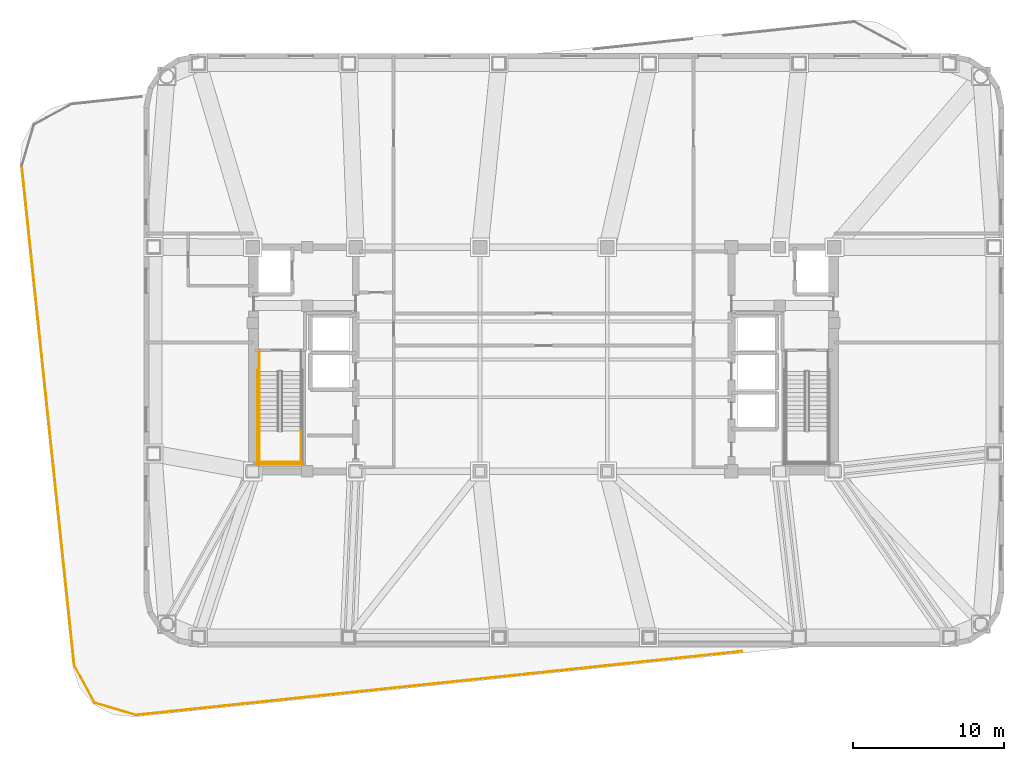
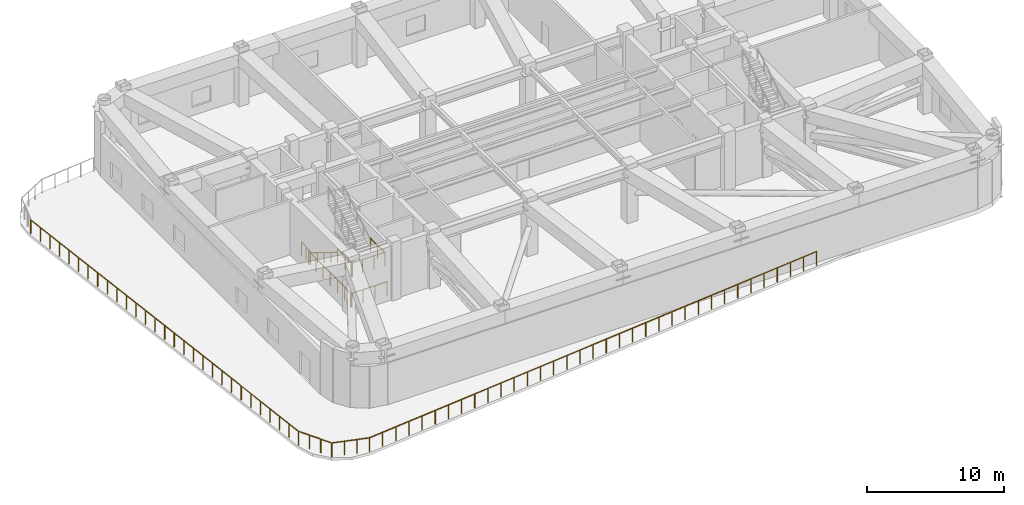
# One storey, part 7 of 10: 11 railings.
"""IFC4 building model written with IfcOpenShell, lengths in metres."""

from ifc_helpers import new_model, si_unit, direction, frame, origin, origin_2d, place, context, subcontext, project, spatial, circle, extrude, material, type_object, element, save


model = new_model("IFC4")

# Units and contexts
model_context = context("Model", 3, precision=1e-05, world=origin(), true_north=direction((0.0, 1.0)))
body_context = subcontext(model_context, "Body", "Model", "MODEL_VIEW")
ifc_project = project(units=[si_unit("LENGTHUNIT", "METRE"), si_unit("AREAUNIT", "SQUARE_METRE"), si_unit("VOLUMEUNIT", "CUBIC_METRE"), si_unit("PLANEANGLEUNIT", "RADIAN"), si_unit("MASSUNIT", "GRAM", prefix="KILO")], contexts=[model_context])

# Site, building, storey
site_placement = place(None, origin())
site = spatial("IfcSite", under=ifc_project, at=site_placement, CompositionType="ELEMENT")
building_placement = place(site_placement, origin())
building = spatial("IfcBuilding", under=site, at=building_placement, Name="Voryun Gate Residences", CompositionType="ELEMENT")
storey_placement = place(building_placement, frame((0.0, 0.0, 195.0)))
storey = spatial("IfcBuildingStorey", under=building, at=storey_placement, Name="L48", CompositionType="ELEMENT", Elevation=195.0)

# Railings
ifc_material_1 = material(Name="Painted steel", Category="steel")
railing_type_1 = type_object("IfcRailingType", Name="RAIL_STAIR_GUARD_1200", PredefinedType="GUARDRAIL", material=ifc_material_1)
for number, where, name in (
    (1, (-18.77490234375, -4.719970703125, 2.60009765625), "L48 ST-W1 stair guard 3"),
    (2, (-16.02490234375, -4.719970703125, 2.60009765625), "L48 ST-W1 stair guard 4"),
):
    element("IfcRailing", number, at=place(storey_placement, frame(where)), inside=storey, type_object=railing_type_1, Name=name, PredefinedType="GUARDRAIL", context=body_context, shape_type="SweptSolid", body=[
        extrude(circle(Radius=0.02392578125, at=origin_2d()), frame((0.0, 0.0, 1.17578125), z_axis=(0.0, -1.0, 0.0), x_axis=(1.0, 0.0, 0.0)), (0.0, 0.0, 1.0), 2.130126953125),
        extrude(circle(Radius=0.02099609375, at=origin_2d()), origin(), (0.0, 0.0, 1.0), 1.15185546875),
        extrude(circle(Radius=0.02099609375, at=origin_2d()), frame((0.0, -1.06494140625, 0.0)), (0.0, 0.0, 1.0), 1.15185546875),
        extrude(circle(Radius=0.02099609375, at=origin_2d()), frame((0.0, -2.130126953125, 0.0)), (0.0, 0.0, 1.0), 1.15185546875),
    ])
railing_1_placement = place(storey_placement, frame((-18.824951171875, -6.800048828125, 2.60009765625)))
element("IfcRailing", 3, at=railing_1_placement, inside=storey, type_object=railing_type_1, Name="L48 ST-W1 stair guard 5", PredefinedType="GUARDRAIL", context=body_context, shape_type="SweptSolid", body=[
    extrude(circle(Radius=0.02392578125, at=origin_2d()), frame((0.0, 0.0, 1.17578125), z_axis=(1.0, 0.0, 0.0), x_axis=(0.0, 1.0, 0.0)), (0.0, 0.0, 1.0), 2.849853515625),
    extrude(circle(Radius=0.02099609375, at=origin_2d()), origin(), (0.0, 0.0, 1.0), 1.15185546875),
    extrude(circle(Radius=0.02099609375, at=origin_2d()), frame((0.949951171875, 0.0, 0.0)), (0.0, 0.0, 1.0), 1.15185546875),
    extrude(circle(Radius=0.02099609375, at=origin_2d()), frame((1.89990234375, 0.0, 0.0)), (0.0, 0.0, 1.0), 1.15185546875),
    extrude(circle(Radius=0.02099609375, at=origin_2d()), frame((2.849853515625, 0.0, 0.0)), (0.0, 0.0, 1.0), 1.15185546875),
])
railing_2_placement = place(storey_placement, frame((-18.77490234375, 0.550048828125, 0.0)))
element("IfcRailing", 4, at=railing_2_placement, inside=storey, type_object=railing_type_1, Name="L48 ST-W1 stair guard 8", PredefinedType="GUARDRAIL", context=body_context, shape_type="SweptSolid", body=[
    extrude(circle(Radius=0.02392578125, at=origin_2d()), frame((0.0, 0.0, 1.17578125), z_axis=(0.0, -1.0, 0.0), x_axis=(1.0, 0.0, 0.0)), (0.0, 0.0, 1.0), 1.35009765625),
    extrude(circle(Radius=0.02099609375, at=origin_2d()), origin(), (0.0, 0.0, 1.0), 1.15185546875),
    extrude(circle(Radius=0.02099609375, at=origin_2d()), frame((0.0, -0.675048828125, 0.0)), (0.0, 0.0, 1.0), 1.15185546875),
    extrude(circle(Radius=0.02099609375, at=origin_2d()), frame((0.0, -1.35009765625, 0.0)), (0.0, 0.0, 1.0), 1.15185546875),
])
railing_3_placement = place(storey_placement, frame((-18.875, -0.699951171875, 0.0)))
element("IfcRailing", 5, at=railing_3_placement, inside=storey, type_object=railing_type_1, Name="L48 ST-W1 stair guard 10", PredefinedType="GUARDRAIL", context=body_context, shape_type="SweptSolid", body=[
    extrude(circle(Radius=0.02392578125, at=origin_2d()), frame((0.0, 0.0, 1.17578125), z_axis=(0.0, -1.0, 0.0), x_axis=(1.0, 0.0, 0.0)), (0.0, 0.0, 1.0), 6.25),
    extrude(circle(Radius=0.02099609375, at=origin_2d()), origin(), (0.0, 0.0, 1.0), 1.15185546875),
    extrude(circle(Radius=0.02099609375, at=origin_2d()), frame((0.0, -1.041748046875, 0.0)), (0.0, 0.0, 1.0), 1.15185546875),
    extrude(circle(Radius=0.02099609375, at=origin_2d()), frame((0.0, -2.083251953125, 0.0)), (0.0, 0.0, 1.0), 1.15185546875),
    extrude(circle(Radius=0.02099609375, at=origin_2d()), frame((0.0, -3.125, 0.0)), (0.0, 0.0, 1.0), 1.15185546875),
    extrude(circle(Radius=0.02099609375, at=origin_2d()), frame((0.0, -4.166748046875, 0.0)), (0.0, 0.0, 1.0), 1.15185546875),
    extrude(circle(Radius=0.02099609375, at=origin_2d()), frame((0.0, -5.208251953125, 0.0)), (0.0, 0.0, 1.0), 1.15185546875),
    extrude(circle(Radius=0.02099609375, at=origin_2d()), frame((0.0, -6.25, 0.0)), (0.0, 0.0, 1.0), 1.15185546875),
])
railing_4_placement = place(storey_placement, frame((-18.925048828125, -6.89990234375, 0.0)))
element("IfcRailing", 6, at=railing_4_placement, inside=storey, type_object=railing_type_1, Name="L48 ST-W1 stair guard 12", PredefinedType="GUARDRAIL", context=body_context, shape_type="SweptSolid", body=[
    extrude(circle(Radius=0.02392578125, at=origin_2d()), frame((0.0, 0.0, 1.17578125), z_axis=(1.0, 0.0, 0.0), x_axis=(0.0, 1.0, 0.0)), (0.0, 0.0, 1.0), 3.050048828125),
    extrude(circle(Radius=0.02099609375, at=origin_2d()), origin(), (0.0, 0.0, 1.0), 1.15185546875),
    extrude(circle(Radius=0.02099609375, at=origin_2d()), frame((1.0166015625, 0.0, 0.0)), (0.0, 0.0, 1.0), 1.15185546875),
    extrude(circle(Radius=0.02099609375, at=origin_2d()), frame((2.033447265625, 0.0, 0.0)), (0.0, 0.0, 1.0), 1.15185546875),
    extrude(circle(Radius=0.02099609375, at=origin_2d()), frame((3.050048828125, 0.0, 0.0)), (0.0, 0.0, 1.0), 1.15185546875),
])
ifc_material_2 = material(Name="Painted steel", Category="steel")
railing_type_2 = type_object("IfcRailingType", Name="RAIL_STAIR_HANDRAIL_900", PredefinedType="HANDRAIL", material=ifc_material_2)
railing_5_placement = place(storey_placement, frame((-18.77490234375, -0.800048828125, 0.17333984375)))
element("IfcRailing", 7, at=railing_5_placement, inside=storey, type_object=railing_type_2, Name="L48 ST-W1 stair handrail 1", PredefinedType="HANDRAIL", context=body_context, shape_type="SweptSolid", body=[
    extrude(circle(Radius=0.02392578125, at=origin_2d()), frame((0.0, 0.0, 0.8759765625), z_axis=(0.0, -0.850251603719, 0.526376491091), x_axis=(1.0, 0.0, 0.0)), (0.0, 0.0, 1.0), 4.6103515625),
    extrude(circle(Radius=0.02099609375, at=origin_2d()), origin(), (0.0, 0.0, 1.0), 0.851806640625),
    extrude(circle(Radius=0.02099609375, at=origin_2d()), frame((0.0, -0.97998046875, 0.606689453125)), (0.0, 0.0, 1.0), 0.851806640625),
    extrude(circle(Radius=0.02099609375, at=origin_2d()), frame((0.0, -1.9599609375, 1.21337890625)), (0.0, 0.0, 1.0), 0.851806640625),
    extrude(circle(Radius=0.02099609375, at=origin_2d()), frame((0.0, -2.93994140625, 1.820068359375)), (0.0, 0.0, 1.0), 0.851806640625),
    extrude(circle(Radius=0.02099609375, at=origin_2d()), frame((0.0, -3.919921875, 2.4267578125)), (0.0, 0.0, 1.0), 0.851806640625),
])
ifc_material_3 = material(Name="Anodised aluminium", Category="aluminium")
railing_type_3 = type_object("IfcRailingType", Name="RAIL_TERRACE_GUARD_1250", PredefinedType="GUARDRAIL", material=ifc_material_3)
railing_6_placement = place(storey_placement, frame((-26.926025390625, -23.4853515625, 0.0)))
element("IfcRailing", 8, at=railing_6_placement, inside=storey, type_object=railing_type_3, Name="Terrace guard RL-L48-P2L1-01", PredefinedType="GUARDRAIL", context=body_context, shape_type="SweptSolid", body=[
    extrude(circle(Radius=0.02392578125, at=origin_2d()), frame((0.0, 0.0, 1.22607421875), z_axis=(-0.959051308589, 0.283232391323, 0.0), x_axis=(-0.283232391323, -0.959051308589, 0.0)), (0.0, 0.0, 1.0), 2.826416015625),
    extrude(circle(Radius=0.02099609375, at=origin_2d()), origin(), (0.0, 0.0, 1.0), 1.201904296875),
    extrude(circle(Radius=0.02099609375, at=origin_2d()), frame((-0.903564453125, 0.266845703125, 0.0)), (0.0, 0.0, 1.0), 1.201904296875),
    extrude(circle(Radius=0.02099609375, at=origin_2d()), frame((-1.80712890625, 0.53369140625, 0.0)), (0.0, 0.0, 1.0), 1.201904296875),
    extrude(circle(Radius=0.02099609375, at=origin_2d()), frame((-2.710693359375, 0.800537109375, 0.0)), (0.0, 0.0, 1.0), 1.201904296875),
])
railing_7_placement = place(storey_placement, frame((-29.63671875, -22.684814453125, 0.0)))
element("IfcRailing", 9, at=railing_7_placement, inside=storey, type_object=railing_type_3, Name="Terrace guard RL-L48-P2L1-02", PredefinedType="GUARDRAIL", context=body_context, shape_type="SweptSolid", body=[
    extrude(circle(Radius=0.02392578125, at=origin_2d()), frame((0.0, 0.0, 1.22607421875), z_axis=(-0.476441745245, 0.879206041488, 0.0), x_axis=(-0.879206041488, -0.476441745245, 0.0)), (0.0, 0.0, 1.0), 2.826416015625),
    extrude(circle(Radius=0.02099609375, at=origin_2d()), origin(), (0.0, 0.0, 1.0), 1.201904296875),
    extrude(circle(Radius=0.02099609375, at=origin_2d()), frame((-0.448974609375, 0.828369140625, 0.0)), (0.0, 0.0, 1.0), 1.201904296875),
    extrude(circle(Radius=0.02099609375, at=origin_2d()), frame((-0.897705078125, 1.65673828125, 0.0)), (0.0, 0.0, 1.0), 1.201904296875),
    extrude(circle(Radius=0.02099609375, at=origin_2d()), frame((-1.3466796875, 2.485107421875, 0.0)), (0.0, 0.0, 1.0), 1.201904296875),
])
railing_8_placement = place(storey_placement, frame((-30.9833984375, -20.19970703125, 0.0)))
element("IfcRailing", 10, at=railing_8_placement, inside=storey, type_object=railing_type_3, Name="Terrace guard RL-L48-P2L1-03", PredefinedType="GUARDRAIL", context=body_context, shape_type="SweptSolid", body=[
    extrude(circle(Radius=0.02392578125, at=origin_2d()), frame((0.0, 0.0, 1.22607421875), z_axis=(-0.104532706762, 0.99452144935, 0.0), x_axis=(-0.99452144935, -0.104532706762, 0.0)), (0.0, 0.0, 1.0), 33.17626953125),
    extrude(circle(Radius=0.02099609375, at=origin_2d()), origin(), (0.0, 0.0, 1.0), 1.201904296875),
    extrude(circle(Radius=0.02099609375, at=origin_2d()), frame((-0.123779296875, 1.178466796875, 0.0)), (0.0, 0.0, 1.0), 1.201904296875),
    extrude(circle(Radius=0.02099609375, at=origin_2d()), frame((-0.247802734375, 2.356689453125, 0.0)), (0.0, 0.0, 1.0), 1.201904296875),
    extrude(circle(Radius=0.02099609375, at=origin_2d()), frame((-0.37158203125, 3.53515625, 0.0)), (0.0, 0.0, 1.0), 1.201904296875),
    extrude(circle(Radius=0.02099609375, at=origin_2d()), frame((-0.495361328125, 4.713623046875, 0.0)), (0.0, 0.0, 1.0), 1.201904296875),
    extrude(circle(Radius=0.02099609375, at=origin_2d()), frame((-0.619384765625, 5.891845703125, 0.0)), (0.0, 0.0, 1.0), 1.201904296875),
    extrude(circle(Radius=0.02099609375, at=origin_2d()), frame((-0.7431640625, 7.0703125, 0.0)), (0.0, 0.0, 1.0), 1.201904296875),
    extrude(circle(Radius=0.02099609375, at=origin_2d()), frame((-0.866943359375, 8.24853515625, 0.0)), (0.0, 0.0, 1.0), 1.201904296875),
    extrude(circle(Radius=0.02099609375, at=origin_2d()), frame((-0.990966796875, 9.427001953125, 0.0)), (0.0, 0.0, 1.0), 1.201904296875),
    extrude(circle(Radius=0.02099609375, at=origin_2d()), frame((-1.11474609375, 10.60546875, 0.0)), (0.0, 0.0, 1.0), 1.201904296875),
    extrude(circle(Radius=0.02099609375, at=origin_2d()), frame((-1.238525390625, 11.78369140625, 0.0)), (0.0, 0.0, 1.0), 1.201904296875),
    extrude(circle(Radius=0.02099609375, at=origin_2d()), frame((-1.362548828125, 12.962158203125, 0.0)), (0.0, 0.0, 1.0), 1.201904296875),
    extrude(circle(Radius=0.02099609375, at=origin_2d()), frame((-1.486328125, 14.140625, 0.0)), (0.0, 0.0, 1.0), 1.201904296875),
    extrude(circle(Radius=0.02099609375, at=origin_2d()), frame((-1.610107421875, 15.31884765625, 0.0)), (0.0, 0.0, 1.0), 1.201904296875),
    extrude(circle(Radius=0.02099609375, at=origin_2d()), frame((-1.73388671875, 16.497314453125, 0.0)), (0.0, 0.0, 1.0), 1.201904296875),
    extrude(circle(Radius=0.02099609375, at=origin_2d()), frame((-1.85791015625, 17.67578125, 0.0)), (0.0, 0.0, 1.0), 1.201904296875),
    extrude(circle(Radius=0.02099609375, at=origin_2d()), frame((-1.981689453125, 18.85400390625, 0.0)), (0.0, 0.0, 1.0), 1.201904296875),
    extrude(circle(Radius=0.02099609375, at=origin_2d()), frame((-2.10546875, 20.032470703125, 0.0)), (0.0, 0.0, 1.0), 1.201904296875),
    extrude(circle(Radius=0.02099609375, at=origin_2d()), frame((-2.2294921875, 21.2109375, 0.0)), (0.0, 0.0, 1.0), 1.201904296875),
    extrude(circle(Radius=0.02099609375, at=origin_2d()), frame((-2.353271484375, 22.38916015625, 0.0)), (0.0, 0.0, 1.0), 1.201904296875),
    extrude(circle(Radius=0.02099609375, at=origin_2d()), frame((-2.47705078125, 23.567626953125, 0.0)), (0.0, 0.0, 1.0), 1.201904296875),
    extrude(circle(Radius=0.02099609375, at=origin_2d()), frame((-2.60107421875, 24.74609375, 0.0)), (0.0, 0.0, 1.0), 1.201904296875),
    extrude(circle(Radius=0.02099609375, at=origin_2d()), frame((-2.724853515625, 25.92431640625, 0.0)), (0.0, 0.0, 1.0), 1.201904296875),
    extrude(circle(Radius=0.02099609375, at=origin_2d()), frame((-2.8486328125, 27.102783203125, 0.0)), (0.0, 0.0, 1.0), 1.201904296875),
    extrude(circle(Radius=0.02099609375, at=origin_2d()), frame((-2.97265625, 28.281005859375, 0.0)), (0.0, 0.0, 1.0), 1.201904296875),
    extrude(circle(Radius=0.02099609375, at=origin_2d()), frame((-3.096435546875, 29.45947265625, 0.0)), (0.0, 0.0, 1.0), 1.201904296875),
    extrude(circle(Radius=0.02099609375, at=origin_2d()), frame((-3.22021484375, 30.637939453125, 0.0)), (0.0, 0.0, 1.0), 1.201904296875),
    extrude(circle(Radius=0.02099609375, at=origin_2d()), frame((-3.34423828125, 31.816162109375, 0.0)), (0.0, 0.0, 1.0), 1.201904296875),
    extrude(circle(Radius=0.02099609375, at=origin_2d()), frame((-3.468017578125, 32.99462890625, 0.0)), (0.0, 0.0, 1.0), 1.201904296875),
])
railing_9_placement = place(storey_placement, frame((13.085693359375, -19.280029296875, 0.0)))
element("IfcRailing", 11, at=railing_9_placement, inside=storey, type_object=railing_type_3, Name="Terrace guard RL-L48-P2L2-01", PredefinedType="GUARDRAIL", context=body_context, shape_type="SweptSolid", body=[
    extrude(circle(Radius=0.02392578125, at=origin_2d()), frame((0.0, 0.0, 1.22607421875), z_axis=(-0.994522099069, -0.104526525166, 0.0), x_axis=(0.104526525166, -0.994522099069, 0.0)), (0.0, 0.0, 1.0), 40.232177734375),
    extrude(circle(Radius=0.02099609375, at=origin_2d()), origin(), (0.0, 0.0, 1.0), 1.201904296875),
    extrude(circle(Radius=0.02099609375, at=origin_2d()), frame((-1.1767578125, -0.123779296875, 0.0)), (0.0, 0.0, 1.0), 1.201904296875),
    extrude(circle(Radius=0.02099609375, at=origin_2d()), frame((-2.353515625, -0.247314453125, 0.0)), (0.0, 0.0, 1.0), 1.201904296875),
    extrude(circle(Radius=0.02099609375, at=origin_2d()), frame((-3.530517578125, -0.37109375, 0.0)), (0.0, 0.0, 1.0), 1.201904296875),
    extrude(circle(Radius=0.02099609375, at=origin_2d()), frame((-4.707275390625, -0.49462890625, 0.0)), (0.0, 0.0, 1.0), 1.201904296875),
    extrude(circle(Radius=0.02099609375, at=origin_2d()), frame((-5.884033203125, -0.618408203125, 0.0)), (0.0, 0.0, 1.0), 1.201904296875),
    extrude(circle(Radius=0.02099609375, at=origin_2d()), frame((-7.060791015625, -0.7421875, 0.0)), (0.0, 0.0, 1.0), 1.201904296875),
    extrude(circle(Radius=0.02099609375, at=origin_2d()), frame((-8.23779296875, -0.86572265625, 0.0)), (0.0, 0.0, 1.0), 1.201904296875),
    extrude(circle(Radius=0.02099609375, at=origin_2d()), frame((-9.41455078125, -0.989501953125, 0.0)), (0.0, 0.0, 1.0), 1.201904296875),
    extrude(circle(Radius=0.02099609375, at=origin_2d()), frame((-10.59130859375, -1.11328125, 0.0)), (0.0, 0.0, 1.0), 1.201904296875),
    extrude(circle(Radius=0.02099609375, at=origin_2d()), frame((-11.76806640625, -1.23681640625, 0.0)), (0.0, 0.0, 1.0), 1.201904296875),
    extrude(circle(Radius=0.02099609375, at=origin_2d()), frame((-12.945068359375, -1.360595703125, 0.0)), (0.0, 0.0, 1.0), 1.201904296875),
    extrude(circle(Radius=0.02099609375, at=origin_2d()), frame((-14.121826171875, -1.484130859375, 0.0)), (0.0, 0.0, 1.0), 1.201904296875),
    extrude(circle(Radius=0.02099609375, at=origin_2d()), frame((-15.298583984375, -1.60791015625, 0.0)), (0.0, 0.0, 1.0), 1.201904296875),
    extrude(circle(Radius=0.02099609375, at=origin_2d()), frame((-16.475341796875, -1.731689453125, 0.0)), (0.0, 0.0, 1.0), 1.201904296875),
    extrude(circle(Radius=0.02099609375, at=origin_2d()), frame((-17.65234375, -1.855224609375, 0.0)), (0.0, 0.0, 1.0), 1.201904296875),
    extrude(circle(Radius=0.02099609375, at=origin_2d()), frame((-18.8291015625, -1.97900390625, 0.0)), (0.0, 0.0, 1.0), 1.201904296875),
    extrude(circle(Radius=0.02099609375, at=origin_2d()), frame((-20.005859375, -2.1025390625, 0.0)), (0.0, 0.0, 1.0), 1.201904296875),
    extrude(circle(Radius=0.02099609375, at=origin_2d()), frame((-21.1826171875, -2.226318359375, 0.0)), (0.0, 0.0, 1.0), 1.201904296875),
    extrude(circle(Radius=0.02099609375, at=origin_2d()), frame((-22.359375, -2.35009765625, 0.0)), (0.0, 0.0, 1.0), 1.201904296875),
    extrude(circle(Radius=0.02099609375, at=origin_2d()), frame((-23.536376953125, -2.4736328125, 0.0)), (0.0, 0.0, 1.0), 1.201904296875),
    extrude(circle(Radius=0.02099609375, at=origin_2d()), frame((-24.713134765625, -2.597412109375, 0.0)), (0.0, 0.0, 1.0), 1.201904296875),
    extrude(circle(Radius=0.02099609375, at=origin_2d()), frame((-25.889892578125, -2.72119140625, 0.0)), (0.0, 0.0, 1.0), 1.201904296875),
    extrude(circle(Radius=0.02099609375, at=origin_2d()), frame((-27.066650390625, -2.8447265625, 0.0)), (0.0, 0.0, 1.0), 1.201904296875),
    extrude(circle(Radius=0.02099609375, at=origin_2d()), frame((-28.24365234375, -2.968505859375, 0.0)), (0.0, 0.0, 1.0), 1.201904296875),
    extrude(circle(Radius=0.02099609375, at=origin_2d()), frame((-29.42041015625, -3.092041015625, 0.0)), (0.0, 0.0, 1.0), 1.201904296875),
    extrude(circle(Radius=0.02099609375, at=origin_2d()), frame((-30.59716796875, -3.2158203125, 0.0)), (0.0, 0.0, 1.0), 1.201904296875),
    extrude(circle(Radius=0.02099609375, at=origin_2d()), frame((-31.77392578125, -3.339599609375, 0.0)), (0.0, 0.0, 1.0), 1.201904296875),
    extrude(circle(Radius=0.02099609375, at=origin_2d()), frame((-32.950927734375, -3.463134765625, 0.0)), (0.0, 0.0, 1.0), 1.201904296875),
    extrude(circle(Radius=0.02099609375, at=origin_2d()), frame((-34.127685546875, -3.5869140625, 0.0)), (0.0, 0.0, 1.0), 1.201904296875),
    extrude(circle(Radius=0.02099609375, at=origin_2d()), frame((-35.304443359375, -3.710693359375, 0.0)), (0.0, 0.0, 1.0), 1.201904296875),
    extrude(circle(Radius=0.02099609375, at=origin_2d()), frame((-36.481201171875, -3.834228515625, 0.0)), (0.0, 0.0, 1.0), 1.201904296875),
    extrude(circle(Radius=0.02099609375, at=origin_2d()), frame((-37.658203125, -3.9580078125, 0.0)), (0.0, 0.0, 1.0), 1.201904296875),
    extrude(circle(Radius=0.02099609375, at=origin_2d()), frame((-38.8349609375, -4.08154296875, 0.0)), (0.0, 0.0, 1.0), 1.201904296875),
    extrude(circle(Radius=0.02099609375, at=origin_2d()), frame((-40.01171875, -4.205322265625, 0.0)), (0.0, 0.0, 1.0), 1.201904296875),
])

save(model, "model.ifc")
